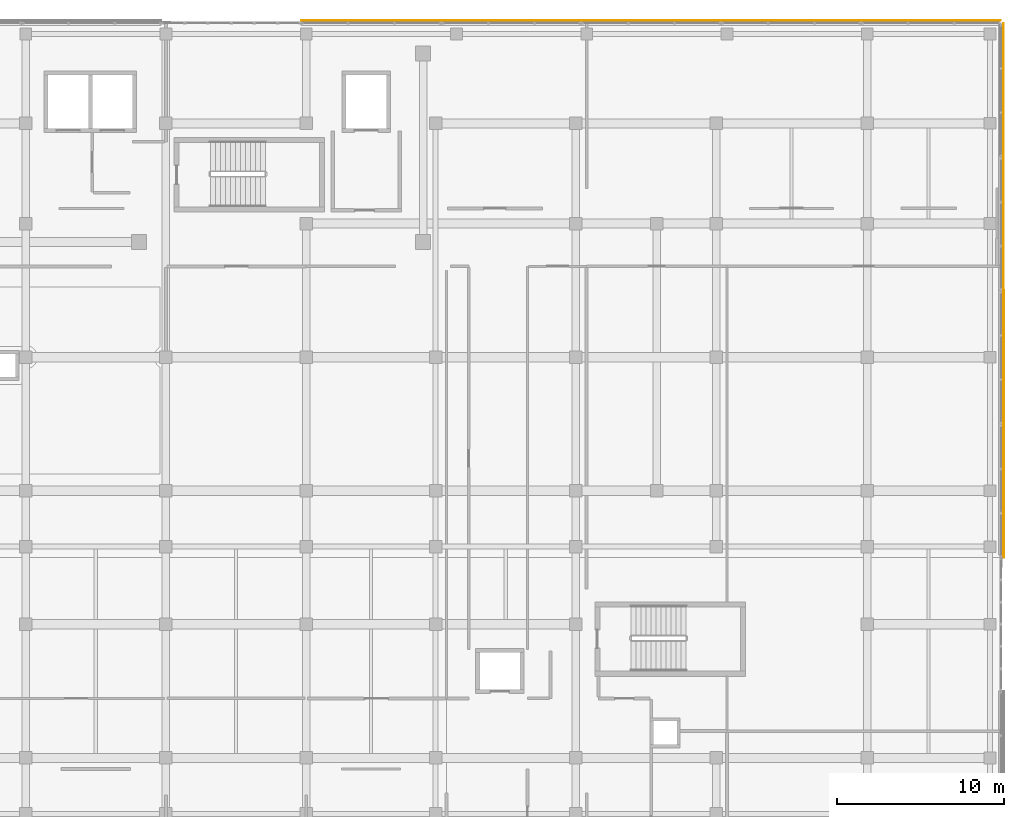
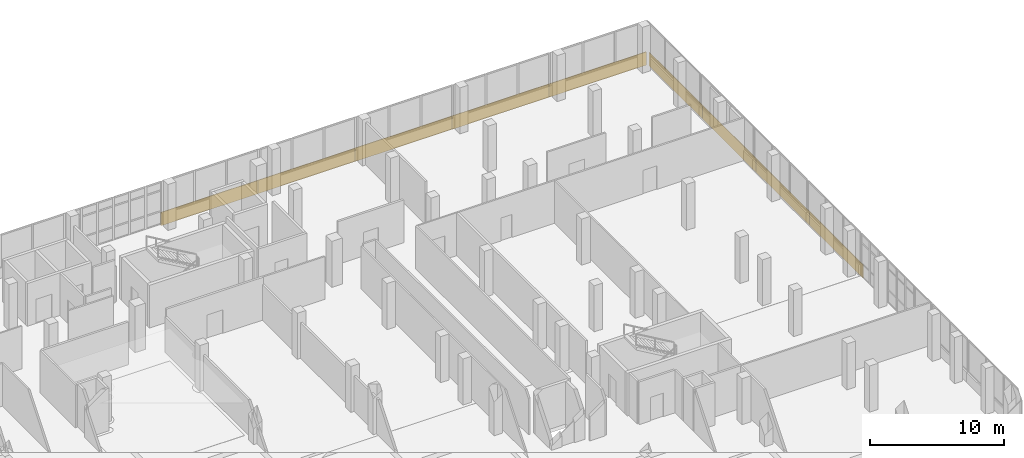
# One storey, part 184 of 184: 9 coverings.
"""IFC4 building model written with IfcOpenShell, lengths in metres."""

from ifc_helpers import new_model, si_unit, direction, frame, origin, origin_2d, place, context, subcontext, project, spatial, rectangle, extrude, material, layer, layer_set, type_object, element, save


model = new_model("IFC4")

# Units and contexts
model_context = context("Model", 3, precision=1e-05, world=origin(), true_north=direction((0.0, 1.0)))
body_context = subcontext(model_context, "Body", "Model", "MODEL_VIEW")
ifc_project = project(units=[si_unit("LENGTHUNIT", "METRE"), si_unit("AREAUNIT", "SQUARE_METRE"), si_unit("VOLUMEUNIT", "CUBIC_METRE"), si_unit("PLANEANGLEUNIT", "RADIAN"), si_unit("MASSUNIT", "GRAM", prefix="KILO")], contexts=[model_context])

# Site, building, storey
site_placement = place(None, origin())
site = spatial("IfcSite", under=ifc_project, at=site_placement, CompositionType="ELEMENT")
building_placement = place(site_placement, origin())
building = spatial("IfcBuilding", under=site, at=building_placement, Name="Selatvlak General Hospital", CompositionType="ELEMENT")
storey_placement = place(building_placement, frame((0.0, 0.0, 15.0)))
storey = spatial("IfcBuildingStorey", under=building, at=storey_placement, Name="L03", CompositionType="ELEMENT", Elevation=15.0)

# Coverings
ifc_material = material(Name="White Bauhaus fair-faced cladding panel")
ifc_layer = layer(ifc_material, 0.054931640625, Name="White Bauhaus fair-faced cladding panel")
ifc_layer_set = layer_set([ifc_layer], Name="White Bauhaus fair-faced cladding panel")
covering_type = type_object("IfcCoveringType", Name="COV-WHT1", PredefinedType="CLADDING", material=ifc_layer_set)
for number, where, z_axis, x_axis, name in (
    (1, (144.2890625, 120.1650390625, -0.27978515625), (0.0, 0.0, 1.0), (1.0, 0.0, 0.0), "L03 Bauhaus horizontal white spandrel band 0236"),
    (2, (152.6689453125, 120.1650390625, -0.27978515625), (0.0, 0.0, 1.0), (1.0, 0.0, 0.0), "L03 Bauhaus horizontal white spandrel band 0237"),
    (3, (161.049072265625, 120.1650390625, -0.27978515625), (0.0, 0.0, 1.0), (1.0, 0.0, 0.0), "L03 Bauhaus horizontal white spandrel band 0238"),
    (4, (169.428955078125, 120.1650390625, -0.27978515625), (0.0, 0.0, 1.0), (1.0, 0.0, 0.0), "L03 Bauhaus horizontal white spandrel band 0239"),
    (5, (177.80908203125, 120.1650390625, -0.27978515625), (0.0, 0.0, 1.0), (1.0, 0.0, 0.0), "L03 Bauhaus horizontal white spandrel band 0240"),
):
    element("IfcCovering", number, at=place(storey_placement, frame(where, z_axis=z_axis, x_axis=x_axis)), inside=storey, type_object=covering_type, Name=name, PredefinedType="CLADDING", context=body_context, shape_type="SweptSolid", body=[
        extrude(rectangle(XDim=8.3798828125, YDim=0.054931640625, at=origin_2d()), origin(), (0.0, 0.0, 1.0), 1.219970703125),
    ])
covering_1_placement = place(storey_placement, frame((182.1640625, 116.0, -0.27978515625), z_axis=(0.0, 0.0, 1.0), x_axis=(0.0, -1.0, 0.0)))
element("IfcCovering", 6, at=covering_1_placement, inside=storey, type_object=covering_type, Name="L03 Bauhaus horizontal white spandrel band 0241", PredefinedType="CLADDING", context=body_context, shape_type="SweptSolid", body=[
    extrude(rectangle(XDim=8.0, YDim=0.054931640625, at=origin_2d()), origin(), (0.0, 0.0, 1.0), 1.219970703125),
])
covering_2_placement = place(storey_placement, frame((182.1640625, 108.0009765625, -0.27978515625), z_axis=(0.0, 0.0, 1.0), x_axis=(0.000122173047, -0.999999992537, 0.0)))
element("IfcCovering", 7, at=covering_2_placement, inside=storey, type_object=covering_type, Name="L03 Bauhaus horizontal white spandrel band 0242", PredefinedType="CLADDING", context=body_context, shape_type="SweptSolid", body=[
    extrude(rectangle(XDim=7.9990234375, YDim=0.054931640625, at=origin_2d()), origin(), (0.0, 0.0, 1.0), 1.219970703125),
])
for number, where, z_axis, x_axis, name in (
    (8, (182.1650390625, 100.0009765625, -0.27978515625), (0.0, 0.0, 1.0), (0.0, -1.0, 0.0), "L03 Bauhaus horizontal white spandrel band 0243"),
    (9, (182.1650390625, 92.0009765625, -0.27978515625), (0.0, 0.0, 1.0), (0.0, -1.0, 0.0), "L03 Bauhaus horizontal white spandrel band 0244"),
):
    element("IfcCovering", number, at=place(storey_placement, frame(where, z_axis=z_axis, x_axis=x_axis)), inside=storey, type_object=covering_type, Name=name, PredefinedType="CLADDING", context=body_context, shape_type="SweptSolid", body=[
        extrude(rectangle(XDim=8.0, YDim=0.054931640625, at=origin_2d()), origin(), (0.0, 0.0, 1.0), 1.219970703125),
    ])

save(model, "model.ifc")
